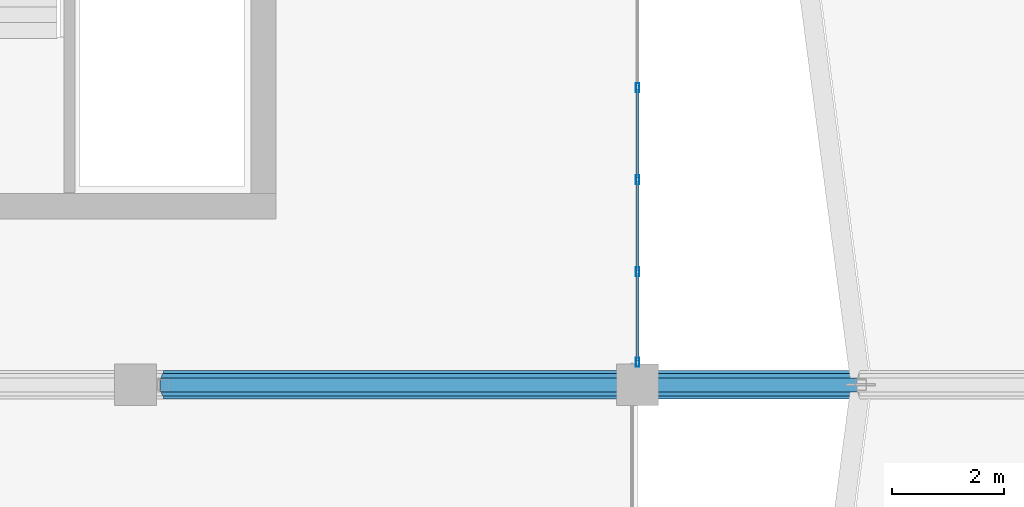
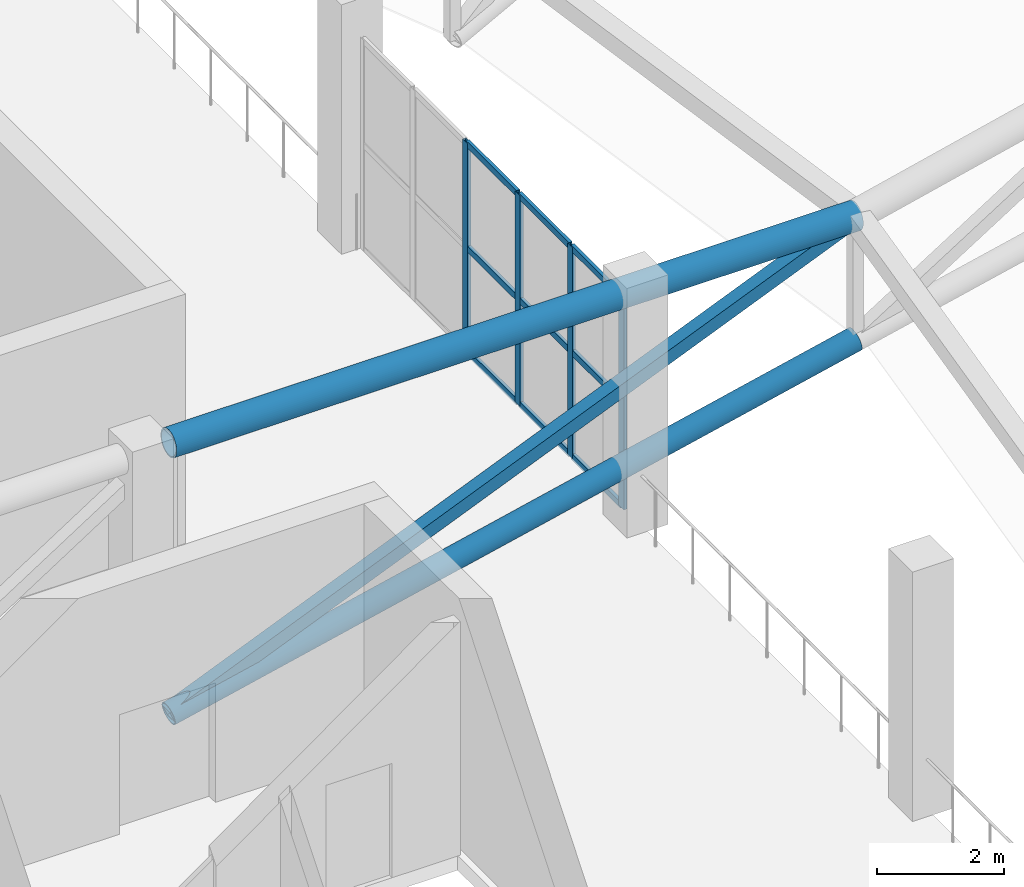
# One storey, part 72 of 167: 16 members, 1 element without a shape of its own.
"""IFC4 building model written with IfcOpenShell, lengths in metres."""

from ifc_helpers import new_model, si_unit, direction, frame, origin, origin_2d, place, context, subcontext, project, spatial, hollow_rectangle, hollow_circle, extrude, material, layer, layer_set, material_profile, profile_set, type_object, element, aggregate, save


model = new_model("IFC4")

# Units and contexts
model_context = context("Model", 3, precision=1e-05, world=origin(), true_north=direction((0.0, 1.0)))
body_context = subcontext(model_context, "Body", "Model", "MODEL_VIEW")
ifc_project = project(units=[si_unit("LENGTHUNIT", "METRE"), si_unit("AREAUNIT", "SQUARE_METRE"), si_unit("VOLUMEUNIT", "CUBIC_METRE"), si_unit("PLANEANGLEUNIT", "RADIAN"), si_unit("MASSUNIT", "GRAM", prefix="KILO")], contexts=[model_context])

# Site, building, storey
site_placement = place(None, origin())
site = spatial("IfcSite", under=ifc_project, at=site_placement, CompositionType="ELEMENT")
building_placement = place(site_placement, origin())
building = spatial("IfcBuilding", under=site, at=building_placement, Name="Dornveld Trade and Exhibition Forum", CompositionType="ELEMENT")
storey_placement = place(building_placement, frame((0.0, 0.0, 16.800048828125)))
storey = spatial("IfcBuildingStorey", under=building, at=storey_placement, Name="L03", CompositionType="ELEMENT", Elevation=16.800048828125)

# Curtain wall, members
ifc_material_1 = material(Name="Dark-bronze anodised aluminium and low-E glass", Category="aluminium")
ifc_layer = layer(ifc_material_1, 0.175048828125)
ifc_layer_set = layer_set([ifc_layer], Name="Dark-bronze anodised aluminium and low-E glass")
curtain_wall_type = type_object("IfcCurtainWallType", Name="CW-SYS-11", PredefinedType="USERDEFINED", material=ifc_layer_set)
curtain_wall_placement = place(storey_placement, origin())
curtain_wall = element("IfcCurtainWall", 1, at=curtain_wall_placement, inside=storey, type_object=curtain_wall_type, Name="L03 unitised curtain wall 65", ObjectType="UNITISED_CURTAIN_WALL", PredefinedType="USERDEFINED")
ifc_material_2 = material(Name="Dark-bronze anodised aluminium", Category="aluminium")
ifc_material_profile_1 = material_profile(ifc_material_2, hollow_rectangle(XDim=0.06005859375, YDim=0.159912109375, WallThickness=0.00390625, at=origin_2d()), Name="RHS 160x60x4")
ifc_profile_set_1 = profile_set([ifc_material_profile_1], Name="Dark-bronze anodised aluminium")
member_type_1 = type_object("IfcMemberType", Name="CW-MUL-160", PredefinedType="MULLION", material=ifc_profile_set_1)
member_1_placement = place(storey_placement, frame((153.0, 81.40087890625, -0.004150390625), z_axis=(0.0, 0.0, 1.0), x_axis=(-1.0, 0.0, 0.0)))
member_1 = element("IfcMember", 2, at=member_1_placement, type_object=member_type_1, Name="CW-11 mullion 1", PredefinedType="MULLION", context=body_context, shape_type="SweptSolid", body=[
    extrude(hollow_rectangle(XDim=0.06005859375, YDim=0.159912109375, WallThickness=0.00390625, at=origin_2d()), origin(), (0.0, 0.0, 1.0), 4.064208984375),
])
member_2_placement = place(storey_placement, frame((153.0, 83.022705078125, -0.004150390625), z_axis=(0.0, 0.0, 1.0), x_axis=(-1.0, 0.0, 0.0)))
member_2 = element("IfcMember", 3, at=member_2_placement, type_object=member_type_1, Name="CW-11 mullion 2", PredefinedType="MULLION", context=body_context, shape_type="SweptSolid", body=[
    extrude(hollow_rectangle(XDim=0.06005859375, YDim=0.159912109375, WallThickness=0.00390625, at=origin_2d()), origin(), (0.0, 0.0, 1.0), 4.064208984375),
])
member_3_placement = place(storey_placement, frame((153.0, 84.67431640625, -0.004150390625), z_axis=(0.0, 0.0, 1.0), x_axis=(-1.0, 0.0, 0.0)))
member_3 = element("IfcMember", 4, at=member_3_placement, type_object=member_type_1, Name="CW-11 mullion 3", PredefinedType="MULLION", context=body_context, shape_type="SweptSolid", body=[
    extrude(hollow_rectangle(XDim=0.06005859375, YDim=0.159912109375, WallThickness=0.00390625, at=origin_2d()), origin(), (0.0, 0.0, 1.0), 4.064208984375),
])
member_4_placement = place(storey_placement, frame((153.0, 86.32568359375, -0.004150390625), z_axis=(0.0, 0.0, 1.0), x_axis=(-1.0, 0.0, 0.0)))
member_4 = element("IfcMember", 5, at=member_4_placement, type_object=member_type_1, Name="CW-11 mullion 4", PredefinedType="MULLION", context=body_context, shape_type="SweptSolid", body=[
    extrude(hollow_rectangle(XDim=0.06005859375, YDim=0.159912109375, WallThickness=0.00390625, at=origin_2d()), origin(), (0.0, 0.0, 1.0), 4.064208984375),
])
ifc_material_3 = material(Name="Dark-bronze anodised aluminium", Category="aluminium")
ifc_material_profile_2 = material_profile(ifc_material_3, hollow_rectangle(XDim=0.06005859375, YDim=0.1201171875, WallThickness=0.00390625, at=origin_2d()), Name="RHS 120x60x4")
ifc_profile_set_2 = profile_set([ifc_material_profile_2], Name="Dark-bronze anodised aluminium")
member_type_2 = type_object("IfcMemberType", Name="CW-TRN-120", PredefinedType="USERDEFINED", material=ifc_profile_set_2)
member_5_placement = place(storey_placement, frame((153.0, 81.430908203125, 0.02587890625), z_axis=(0.0, 1.0, 0.0), x_axis=(-1.0, 0.0, 0.0)))
member_5 = element("IfcMember", 6, at=member_5_placement, type_object=member_type_2, Name="CW-11 transom 1.1", ObjectType="TRANSOM", PredefinedType="USERDEFINED", context=body_context, shape_type="SweptSolid", body=[
    extrude(hollow_rectangle(XDim=0.06005859375, YDim=0.1201171875, WallThickness=0.00390625, at=origin_2d()), origin(), (0.0, 0.0, 1.0), 1.561767578125),
])
member_6_placement = place(storey_placement, frame((153.0, 81.430908203125, 2.02783203125), z_axis=(0.0, 1.0, 0.0), x_axis=(-1.0, 0.0, 0.0)))
member_6 = element("IfcMember", 7, at=member_6_placement, type_object=member_type_2, Name="CW-11 transom 1.2", ObjectType="TRANSOM", PredefinedType="USERDEFINED", context=body_context, shape_type="SweptSolid", body=[
    extrude(hollow_rectangle(XDim=0.06005859375, YDim=0.1201171875, WallThickness=0.00390625, at=origin_2d()), origin(), (0.0, 0.0, 1.0), 1.561767578125),
])
member_7_placement = place(storey_placement, frame((153.0, 81.430908203125, 4.030029296875), z_axis=(0.0, 1.0, 0.0), x_axis=(-1.0, 0.0, 0.0)))
member_7 = element("IfcMember", 8, at=member_7_placement, type_object=member_type_2, Name="CW-11 transom 1.3", ObjectType="TRANSOM", PredefinedType="USERDEFINED", context=body_context, shape_type="SweptSolid", body=[
    extrude(hollow_rectangle(XDim=0.06005859375, YDim=0.1201171875, WallThickness=0.00390625, at=origin_2d()), origin(), (0.0, 0.0, 1.0), 1.561767578125),
])
member_8_placement = place(storey_placement, frame((153.0, 83.052490234375, 0.02587890625), z_axis=(0.0, 1.0, 0.0), x_axis=(-1.0, 0.0, 0.0)))
member_8 = element("IfcMember", 9, at=member_8_placement, type_object=member_type_2, Name="CW-11 transom 2.1", ObjectType="TRANSOM", PredefinedType="USERDEFINED", context=body_context, shape_type="SweptSolid", body=[
    extrude(hollow_rectangle(XDim=0.06005859375, YDim=0.1201171875, WallThickness=0.00390625, at=origin_2d()), origin(), (0.0, 0.0, 1.0), 1.591796875),
])
member_9_placement = place(storey_placement, frame((153.0, 83.052490234375, 2.02783203125), z_axis=(0.0, 1.0, 0.0), x_axis=(-1.0, 0.0, 0.0)))
member_9 = element("IfcMember", 10, at=member_9_placement, type_object=member_type_2, Name="CW-11 transom 2.2", ObjectType="TRANSOM", PredefinedType="USERDEFINED", context=body_context, shape_type="SweptSolid", body=[
    extrude(hollow_rectangle(XDim=0.06005859375, YDim=0.1201171875, WallThickness=0.00390625, at=origin_2d()), origin(), (0.0, 0.0, 1.0), 1.591796875),
])
member_10_placement = place(storey_placement, frame((153.0, 83.052490234375, 4.030029296875), z_axis=(0.0, 1.0, 0.0), x_axis=(-1.0, 0.0, 0.0)))
member_10 = element("IfcMember", 11, at=member_10_placement, type_object=member_type_2, Name="CW-11 transom 2.3", ObjectType="TRANSOM", PredefinedType="USERDEFINED", context=body_context, shape_type="SweptSolid", body=[
    extrude(hollow_rectangle(XDim=0.06005859375, YDim=0.1201171875, WallThickness=0.00390625, at=origin_2d()), origin(), (0.0, 0.0, 1.0), 1.591796875),
])
member_11_placement = place(storey_placement, frame((153.0, 84.7041015625, 0.02587890625), z_axis=(0.0, 1.0, 0.0), x_axis=(-1.0, 0.0, 0.0)))
member_11 = element("IfcMember", 12, at=member_11_placement, type_object=member_type_2, Name="CW-11 transom 3.1", ObjectType="TRANSOM", PredefinedType="USERDEFINED", context=body_context, shape_type="SweptSolid", body=[
    extrude(hollow_rectangle(XDim=0.06005859375, YDim=0.1201171875, WallThickness=0.00390625, at=origin_2d()), origin(), (0.0, 0.0, 1.0), 1.591796875),
])
member_12_placement = place(storey_placement, frame((153.0, 84.7041015625, 2.02783203125), z_axis=(0.0, 1.0, 0.0), x_axis=(-1.0, 0.0, 0.0)))
member_12 = element("IfcMember", 13, at=member_12_placement, type_object=member_type_2, Name="CW-11 transom 3.2", ObjectType="TRANSOM", PredefinedType="USERDEFINED", context=body_context, shape_type="SweptSolid", body=[
    extrude(hollow_rectangle(XDim=0.06005859375, YDim=0.1201171875, WallThickness=0.00390625, at=origin_2d()), origin(), (0.0, 0.0, 1.0), 1.591796875),
])
member_13_placement = place(storey_placement, frame((153.0, 84.7041015625, 4.030029296875), z_axis=(0.0, 1.0, 0.0), x_axis=(-1.0, 0.0, 0.0)))
member_13 = element("IfcMember", 14, at=member_13_placement, type_object=member_type_2, Name="CW-11 transom 3.3", ObjectType="TRANSOM", PredefinedType="USERDEFINED", context=body_context, shape_type="SweptSolid", body=[
    extrude(hollow_rectangle(XDim=0.06005859375, YDim=0.1201171875, WallThickness=0.00390625, at=origin_2d()), origin(), (0.0, 0.0, 1.0), 1.591796875),
])
aggregate(curtain_wall, [member_1, member_2, member_3, member_4, member_5, member_6, member_7, member_8, member_9, member_10, member_11, member_12, member_13])

# Members
ifc_material_4 = material(Name="Steel S355J2", Category="steel")
ifc_material_profile_3 = material_profile(ifc_material_4, hollow_circle(Radius=0.203125, WallThickness=0.02001953125, at=origin_2d()), Name="CHS 406.4x20")
ifc_profile_set_3 = profile_set([ifc_material_profile_3], Name="Steel S355J2")
member_type_3 = type_object("IfcMemberType", Name="MEM-DISC-BC", PredefinedType="CHORD", material=ifc_profile_set_3)
member_14_placement = place(storey_placement, frame((144.5, 81.0, -0.76220703125), z_axis=(0.975183720687, 0.0, 0.221397179087), x_axis=(0.0, 1.0, 0.0)))
element("IfcMember", 15, at=member_14_placement, inside=storey, type_object=member_type_3, Name="Roof disc radial R01 conical bottom chord 2", PredefinedType="CHORD", context=body_context, shape_type="SweptSolid", body=[
    extrude(hollow_circle(Radius=0.203125, WallThickness=0.02001953125, at=origin_2d()), origin(), (0.0, 0.0, 1.0), 12.818115234375),
])
ifc_material_5 = material(Name="Steel S355J2", Category="steel")
ifc_material_profile_4 = material_profile(ifc_material_5, hollow_circle(Radius=0.25390625, WallThickness=0.02490234375, at=origin_2d()), Name="CHS 508x25")
ifc_profile_set_4 = profile_set([ifc_material_profile_4], Name="Steel S355J2")
member_type_4 = type_object("IfcMemberType", Name="MEM-DISC-TC", PredefinedType="CHORD", material=ifc_profile_set_4)
member_15_placement = place(storey_placement, frame((144.5, 81.0, 4.449951171875), z_axis=(1.0, 0.0, 0.0), x_axis=(0.0, 1.0, 0.0)))
element("IfcMember", 16, at=member_15_placement, inside=storey, type_object=member_type_4, Name="Roof disc radial R01 top chord 2", PredefinedType="CHORD", context=body_context, shape_type="SweptSolid", body=[
    extrude(hollow_circle(Radius=0.25390625, WallThickness=0.02490234375, at=origin_2d()), origin(), (0.0, 0.0, 1.0), 12.5),
])
ifc_material_6 = material(Name="Steel S355J2", Category="steel")
ifc_material_profile_5 = material_profile(ifc_material_6, hollow_rectangle(XDim=0.25, YDim=0.25, WallThickness=0.012451171875, at=origin_2d()), Name="SHS 250x250x12.5")
ifc_profile_set_5 = profile_set([ifc_material_profile_5], Name="Steel S355J2")
member_type_5 = type_object("IfcMemberType", Name="MEM-DISC-WEB", PredefinedType="BRACE", material=ifc_profile_set_5)
member_16_placement = place(storey_placement, frame((144.5, 81.0, -0.76220703125), z_axis=(0.922976623816, 0.0, 0.384856014489), x_axis=(0.0, 1.0, 0.0)))
element("IfcMember", 17, at=member_16_placement, inside=storey, type_object=member_type_5, Name="Roof disc radial R01 web 2", PredefinedType="BRACE", context=body_context, shape_type="SweptSolid", body=[
    extrude(hollow_rectangle(XDim=0.25, YDim=0.25, WallThickness=0.012451171875, at=origin_2d()), origin(), (0.0, 0.0, 1.0), 13.543212890625),
])

save(model, "model.ifc")
